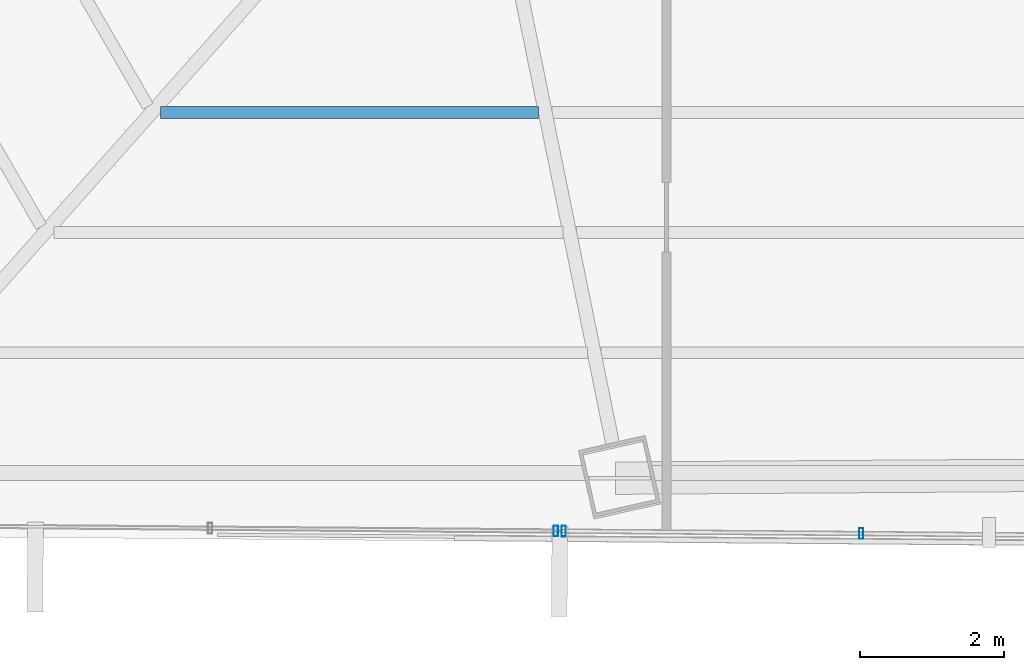
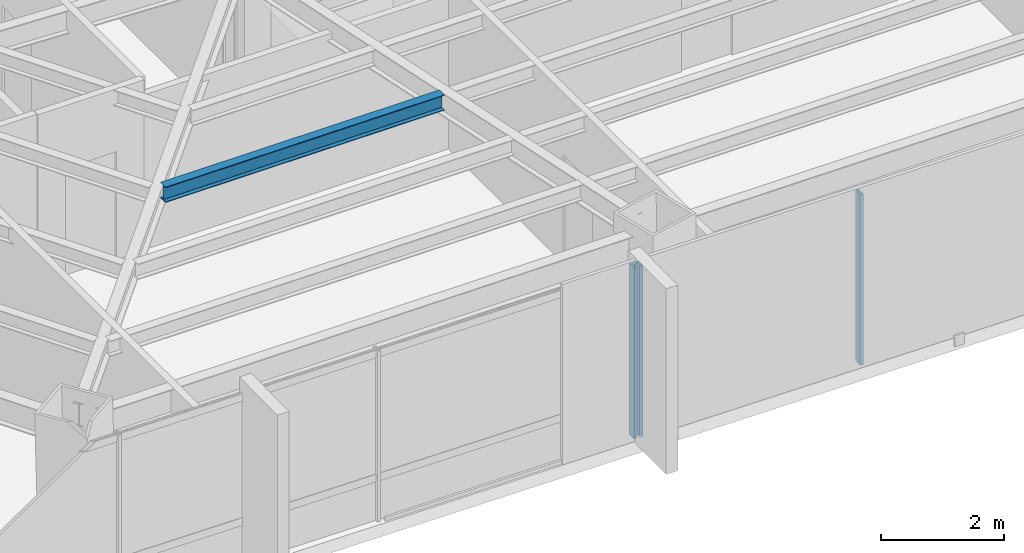
# One storey, part 8 of 38: 3 members, 1 beam, 2 elements without a shape of their own.
"""IFC4 building model written with IfcOpenShell, lengths in metres."""

from ifc_helpers import new_model, si_unit, direction, frame, origin, origin_2d, place, context, subcontext, project, spatial, hollow_rectangle, i_section, extrude, source, transform, mapped, material, material_profile, profile_set, type_object, type_shapes, element, aggregate, save


model = new_model("IFC4")

# Units and contexts
model_context = context("Model", 3, precision=1e-05, world=origin(), true_north=direction((0.0, 1.0)))
body_context = subcontext(model_context, "Body", "Model", "MODEL_VIEW")
ifc_project = project(units=[si_unit("LENGTHUNIT", "METRE"), si_unit("AREAUNIT", "SQUARE_METRE"), si_unit("VOLUMEUNIT", "CUBIC_METRE"), si_unit("PLANEANGLEUNIT", "RADIAN"), si_unit("MASSUNIT", "GRAM", prefix="KILO")], contexts=[model_context])

# Site, building, storey
site_placement = place(None, origin())
site = spatial("IfcSite", under=ifc_project, at=site_placement, CompositionType="ELEMENT")
building_placement = place(site_placement, origin())
building = spatial("IfcBuilding", under=site, at=building_placement, Name="Caelisora Broadcast Tower", CompositionType="ELEMENT")
storey_placement = place(building_placement, frame((0.0, 0.0, 154.85009765625)))
storey = spatial("IfcBuildingStorey", under=building, at=storey_placement, Name="L40", CompositionType="ELEMENT", Elevation=154.85009765625)

# Beam
ifc_material_1 = material(Name="Steel Grade 350 (AS/NZS 3679.1)", Category="steel")
ifc_material_profile_1 = material_profile(ifc_material_1, i_section(OverallWidth=0.166015625, OverallDepth=0.30712890625, WebThickness=0.006591796875, FlangeThickness=0.01171875, at=origin_2d()), Name="Steel Grade 350 (AS/NZS 3679.1)")
ifc_profile_set_1 = profile_set([ifc_material_profile_1], Name="Steel Grade 350 (AS/NZS 3679.1)")
beam_type = type_object("IfcBeamType", Name="SB03", PredefinedType="JOIST", material=ifc_profile_set_1)
shared_shape_1 = source(origin(), body_context, "Body", "SweptSolid", [
    extrude(i_section(OverallWidth=0.166015625, OverallDepth=0.30712890625, WebThickness=0.006591796875, FlangeThickness=0.01171875, at=origin_2d()), origin(), (0.0, 0.0, 1.0), 5.245849609375),
])
type_shapes(beam_type, [shared_shape_1])
beam_placement = place(storey_placement, frame((26.17724609375, 12.396484375, 3.246337890625), z_axis=(1.0, 0.0, 0.0), x_axis=(0.0, 1.0, 0.0)))
element("IfcBeam", 1, at=beam_placement, inside=storey, type_object=beam_type, Name="L40 beam SB03", PredefinedType="JOIST", context=body_context, shape_type="MappedRepresentation", body=[
    mapped(shared_shape_1, transform((0.0, 0.0, 0.0), scale=1.0)),
])

# Curtain wall, members
ifc_material_2 = material(Name="Unitised Aluminium Insulated Shadow-Box Spandrel Curtain Wall", Category="aluminium")
curtain_wall_type_1 = type_object("IfcCurtainWallType", Name="CW-SP2", PredefinedType="NOTDEFINED", material=ifc_material_2)
curtain_wall_1_placement = place(storey_placement, origin())
curtain_wall_1 = element("IfcCurtainWall", 2, at=curtain_wall_1_placement, inside=storey, type_object=curtain_wall_type_1, Name="L40 curtain wall CW-SP2", PredefinedType="NOTDEFINED")
ifc_material_3 = material(Name="Aluminium 6063-T6 Anodised Terracotta Bronze", Category="aluminium")
ifc_material_profile_2 = material_profile(ifc_material_3, hollow_rectangle(XDim=0.06005859375, YDim=0.14990234375, WallThickness=0.00341796875, at=origin_2d()), Name="Aluminium 6063-T6 Anodised Terracotta Bronze")
ifc_profile_set_2 = profile_set([ifc_material_profile_2], Name="Aluminium 6063-T6 Anodised Terracotta Bronze")
member_type = type_object("IfcMemberType", Name="CWM-03", PredefinedType="MULLION", material=ifc_profile_set_2)
shared_shape_2 = source(origin(), body_context, "Body", "SweptSolid", [
    extrude(hollow_rectangle(XDim=0.06005859375, YDim=0.14990234375, WallThickness=0.00341796875, at=origin_2d()), origin(), (0.0, 0.0, 1.0), 3.39990234375),
])
type_shapes(member_type, [shared_shape_2])
member_1_placement = place(storey_placement, frame((35.904052734375, 6.551025390625, 0.0), z_axis=(0.0, 0.0, 1.0), x_axis=(1.0, 0.0, 0.0)))
member_1 = element("IfcMember", 3, at=member_1_placement, type_object=member_type, Name="L40-CW-B06 mullion #2", PredefinedType="MULLION", context=body_context, shape_type="MappedRepresentation", body=[
    mapped(shared_shape_2, transform((0.0, 0.0, 0.0), scale=1.0)),
])
member_2_placement = place(storey_placement, frame((31.775146484375, 6.585205078125, 0.0), z_axis=(0.0, 0.0, 1.0), x_axis=(1.0, 0.0, 0.0)))
member_2 = element("IfcMember", 4, at=member_2_placement, type_object=member_type, Name="L40-CW-B06 mullion #3", PredefinedType="MULLION", context=body_context, shape_type="MappedRepresentation", body=[
    mapped(shared_shape_2, transform((0.0, 0.0, 0.0), scale=1.0)),
])
aggregate(curtain_wall_1, [member_1, member_2])

# Curtain wall, member
ifc_material_4 = material(Name="Unitised Aluminium and Low-E Glass Curtain Wall", Category="glass")
curtain_wall_type_2 = type_object("IfcCurtainWallType", Name="CW-Z3", PredefinedType="NOTDEFINED", material=ifc_material_4)
curtain_wall_2_placement = place(storey_placement, origin())
curtain_wall_2 = element("IfcCurtainWall", 5, at=curtain_wall_2_placement, inside=storey, type_object=curtain_wall_type_2, Name="L40 curtain wall CW-Z3", PredefinedType="NOTDEFINED")
member_3_placement = place(storey_placement, frame((31.665283203125, 6.586181640625, 0.0), z_axis=(0.0, 0.0, 1.0), x_axis=(1.0, 0.0, 0.0)))
member_3 = element("IfcMember", 6, at=member_3_placement, type_object=member_type, Name="L40-CW-B07 mullion #0", PredefinedType="MULLION", context=body_context, shape_type="MappedRepresentation", body=[
    mapped(shared_shape_2, transform((0.0, 0.0, 0.0), scale=1.0)),
])
aggregate(curtain_wall_2, [member_3])

save(model, "model.ifc")
